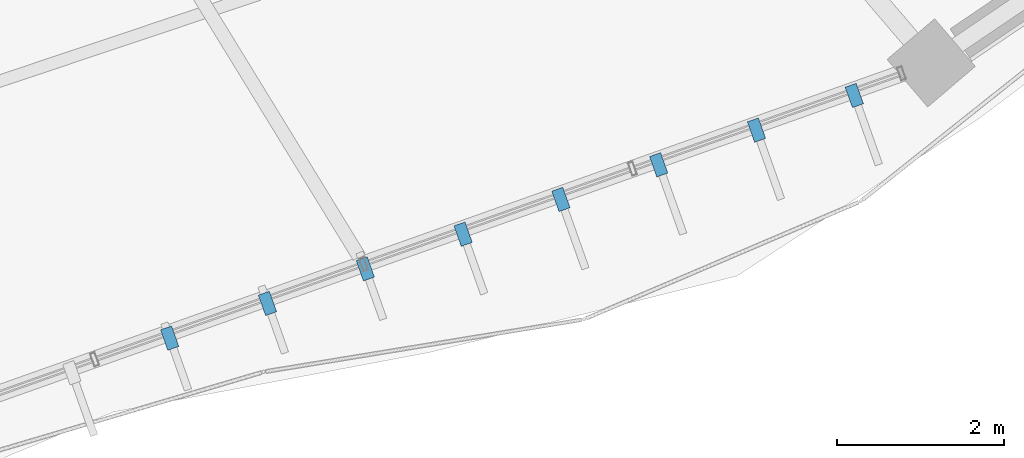
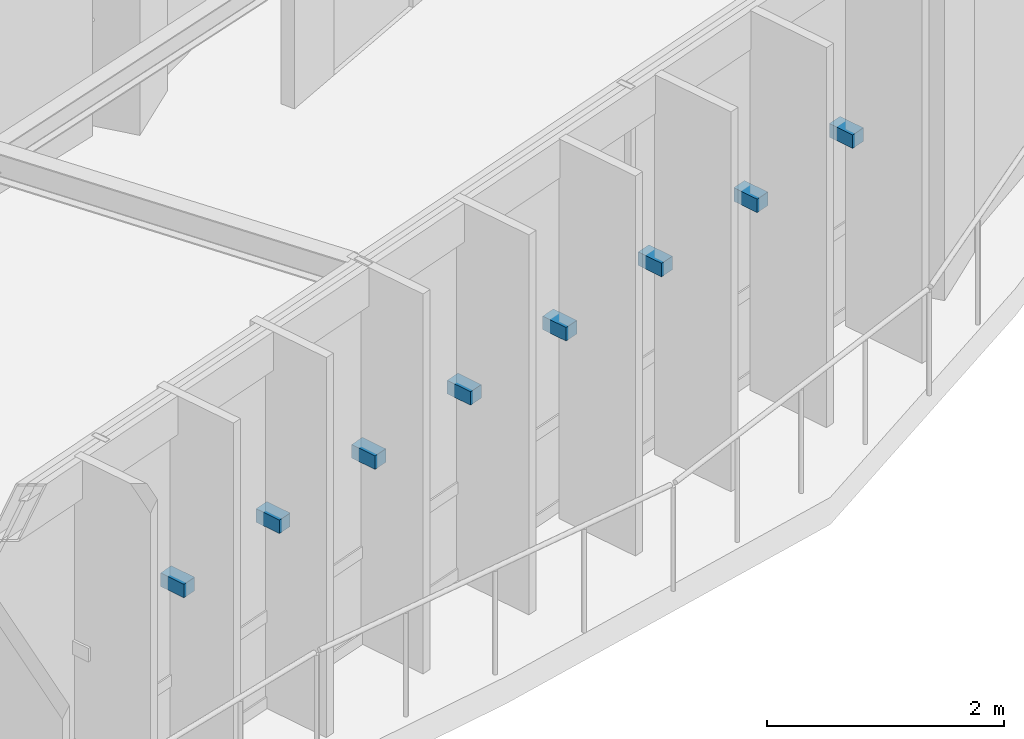
# One storey, part 134 of 152: 8 discrete accessories.
"""IFC4 building model written with IfcOpenShell, lengths in metres."""

from ifc_helpers import new_model, si_unit, direction, frame, origin, origin_2d, place, context, subcontext, project, spatial, rectangle, extrude, material, type_object, element, save


model = new_model("IFC4")

# Units and contexts
model_context = context("Model", 3, precision=1e-05, world=origin(), true_north=direction((0.0, 1.0)))
body_context = subcontext(model_context, "Body", "Model", "MODEL_VIEW")
ifc_project = project(units=[si_unit("LENGTHUNIT", "METRE"), si_unit("AREAUNIT", "SQUARE_METRE"), si_unit("VOLUMEUNIT", "CUBIC_METRE"), si_unit("PLANEANGLEUNIT", "RADIAN"), si_unit("MASSUNIT", "GRAM", prefix="KILO"), si_unit("THERMODYNAMICTEMPERATUREUNIT", "KELVIN"), si_unit("POWERUNIT", "WATT")], contexts=[model_context])

# Site, building, storey
site_placement = place(None, origin())
site = spatial("IfcSite", under=ifc_project, at=site_placement, CompositionType="ELEMENT")
building_placement = place(site_placement, origin())
building = spatial("IfcBuilding", under=site, at=building_placement, Name="Darbajah Civic Hall", CompositionType="ELEMENT")
storey_placement = place(building_placement, frame((0.0, 0.0, 5.39990234375)))
storey = spatial("IfcBuildingStorey", under=building, at=storey_placement, Name="L01", CompositionType="ELEMENT", Elevation=5.39990234375)

# Discrete accessories
ifc_material = material(Name="Stainless Steel S355JR", Category="steel")
discrete_accessory_type = type_object("IfcDiscreteAccessoryType", Name="Stainless Facade Support Bracket", PredefinedType="BRACKET", material=ifc_material)
for number, where, z_axis, x_axis, name in (
    (1, (113.094970703125, 64.0693359375, 1.89013671875), (0.0, 0.0, 1.0), (0.334135882844, -0.94252491309, 0.0), "L01 shading fin bracket 16-4"),
    (2, (114.26708984375, 64.48486328125, 1.89013671875), (0.0, 0.0, 1.0), (0.334135882844, -0.94252491309, 0.0), "L01 shading fin bracket 16-5"),
    (3, (115.439453125, 64.900146484375, 1.89013671875), (0.0, 0.0, 1.0), (0.334135882844, -0.94252491309, 0.0), "L01 shading fin bracket 16-6"),
    (4, (116.61181640625, 65.315673828125, 1.89013671875), (0.0, 0.0, 1.0), (0.334135882844, -0.94252491309, 0.0), "L01 shading fin bracket 16-7"),
    (5, (117.783935546875, 65.731201171875, 1.89013671875), (0.0, 0.0, 1.0), (0.334135882844, -0.94252491309, 0.0), "L01 shading fin bracket 16-8"),
    (6, (118.9560546875, 66.146728515625, 1.89013671875), (0.0, 0.0, 1.0), (0.334135882844, -0.94252491309, 0.0), "L01 shading fin bracket 16-9"),
    (7, (120.12841796875, 66.562255859375, 1.89013671875), (0.0, 0.0, 1.0), (0.334135882844, -0.94252491309, 0.0), "L01 shading fin bracket 16-10"),
    (8, (121.300537109375, 66.977783203125, 1.89013671875), (0.0, 0.0, 1.0), (0.334135882844, -0.94252491309, 0.0), "L01 shading fin bracket 16-11"),
):
    element("IfcDiscreteAccessory", number, at=place(storey_placement, frame(where, z_axis=z_axis, x_axis=x_axis)), inside=storey, type_object=discrete_accessory_type, Name=name, PredefinedType="BRACKET", context=body_context, shape_type="SweptSolid", body=[
        extrude(rectangle(XDim=0.260009765625, YDim=0.139892578125, at=origin_2d()), origin(), (0.0, 0.0, 1.0), 0.139892578125),
    ])

save(model, "model.ifc")
